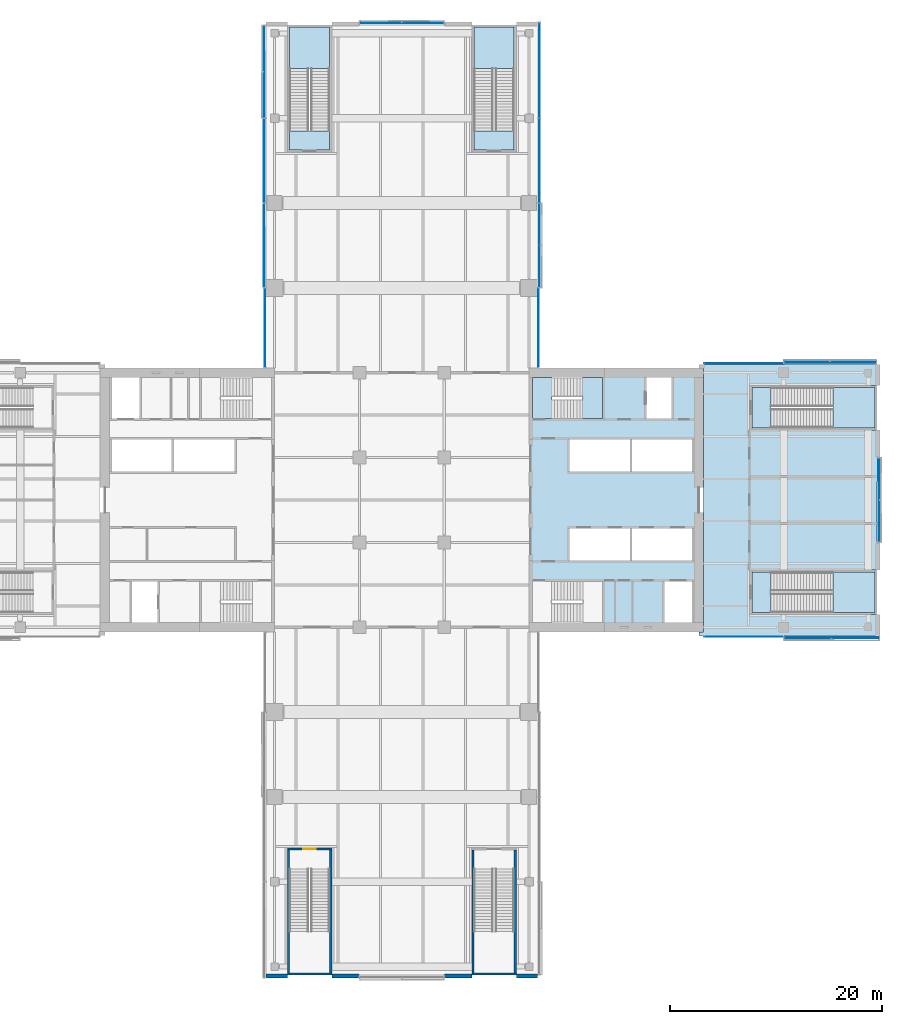
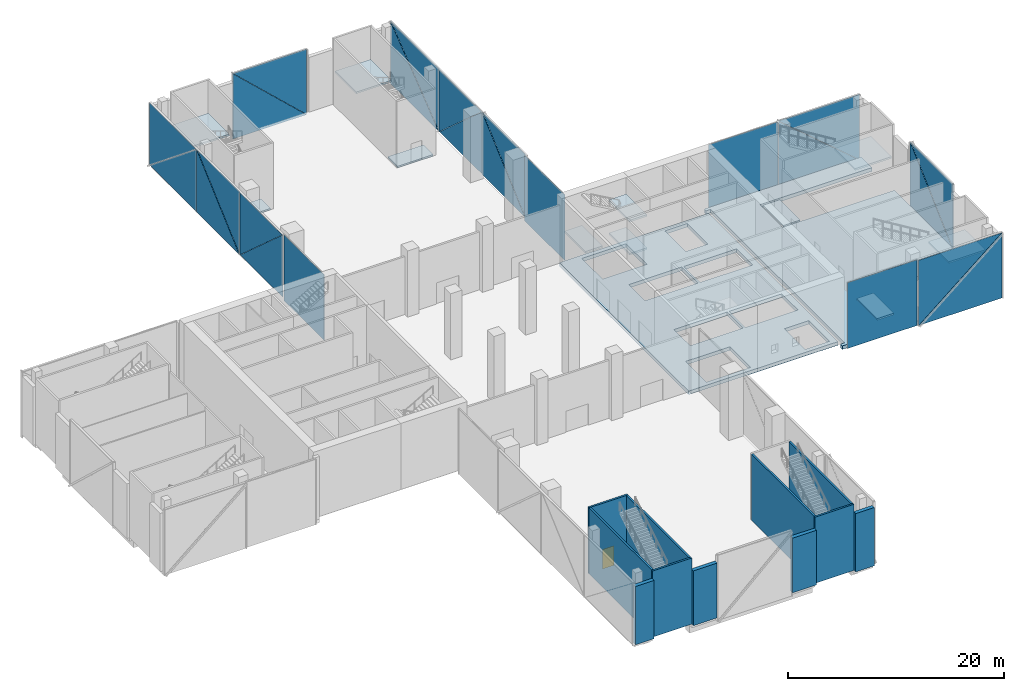
# One storey, part 13 of 25: 24 plates, 13 slabs, 11 walls, 1 door, 1 opening, 15 elements without a shape of their own.
"""IFC4 building model written with IfcOpenShell, lengths in metres."""

from ifc_helpers import new_model, si_unit, direction, frame, frame_2d, origin, place, context, subcontext, project, spatial, polyline, rectangle, outline, extrude, material, layer, layer_set, type_object, element, fill, aggregate, save


model = new_model("IFC4")

# Units and contexts
model_context = context("Model", 3, precision=1e-05, world=origin(), true_north=direction((0.0, 1.0)))
body_context = subcontext(model_context, "Body", "Model", "MODEL_VIEW")
ifc_project = project(units=[si_unit("LENGTHUNIT", "METRE"), si_unit("AREAUNIT", "SQUARE_METRE"), si_unit("VOLUMEUNIT", "CUBIC_METRE"), si_unit("PLANEANGLEUNIT", "RADIAN"), si_unit("MASSUNIT", "GRAM", prefix="KILO")], contexts=[model_context])

# Site, building, storey
site_placement = place(None, origin())
site = spatial("IfcSite", under=ifc_project, at=site_placement, CompositionType="ELEMENT")
building_placement = place(site_placement, origin())
building = spatial("IfcBuilding", under=site, at=building_placement, Name="Crosswind Convention Tower", CompositionType="ELEMENT")
storey_placement = place(building_placement, frame((0.0, 0.0, 10.0)))
storey = spatial("IfcBuildingStorey", under=building, at=storey_placement, Name="L01", CompositionType="ELEMENT", Elevation=10.0)

# Slabs
ifc_material_1 = material(Name="Concrete C40/50", Category="concrete")
ifc_layer_1 = layer(ifc_material_1, 0.39990234375)
ifc_layer_set_1 = layer_set([ifc_layer_1], Name="Concrete C40/50")
slab_type_1 = type_object("IfcSlabType", Name="Composite floor slab 400", PredefinedType="FLOOR", material=ifc_layer_set_1)
slab_1_placement = place(storey_placement, frame((0.0, 0.0, -0.39990234375)))
element("IfcSlab", 1, at=slab_1_placement, inside=storey, type_object=slab_type_1, Name="Floor slab L01 part 3", PredefinedType="FLOOR", context=body_context, shape_type="SweptSolid", body=[
    extrude(outline(polyline([(169.800048828125, 93.39990234375), (157.800048828125, 93.39990234375), (157.800048828125, 89.199951171875), (169.800048828125, 89.199951171875), (169.800048828125, 88.0), (169.800048828125, 87.199951171875), (169.0, 87.199951171875), (153.0, 87.199951171875), (153.0, 87.550048828125), (153.449951171875, 87.550048828125), (153.449951171875, 112.449951171875), (153.0, 112.449951171875), (153.0, 112.800048828125), (169.0, 112.800048828125), (169.800048828125, 112.800048828125), (169.800048828125, 112.0), (169.800048828125, 110.800048828125), (157.800048828125, 110.800048828125), (157.800048828125, 106.60009765625), (169.800048828125, 106.60009765625), (169.800048828125, 93.39990234375)])), origin(), (0.0, 0.0, 1.0), 0.39990234375),
])
ifc_layer_2 = layer(ifc_material_1, 0.39990234375)
ifc_layer_set_2 = layer_set([ifc_layer_2], Name="Concrete C40/50")
slab_type_2 = type_object("IfcSlabType", Name="Concrete core floor slab 400", PredefinedType="FLOOR", material=ifc_layer_set_2)
slab_2_placement = place(storey_placement, frame((0.0, 0.0, -0.39990234375)))
element("IfcSlab", 2, at=slab_2_placement, inside=storey, type_object=slab_type_2, Name="Core floor slab E L01", PredefinedType="FLOOR", context=body_context, shape_type="SweptSolid", body=[
    extrude(outline(polyline([(137.0, 88.0), (153.0, 88.0), (153.0, 112.0), (137.0, 112.0), (137.0, 88.0)]), holes=[polyline([(146.5, 102.699951171875), (146.5, 105.699951171875), (140.800048828125, 105.699951171875), (140.800048828125, 102.699951171875), (146.5, 102.699951171875)]), polyline([(152.35009765625, 102.699951171875), (152.35009765625, 105.699951171875), (146.699951171875, 105.699951171875), (146.699951171875, 102.699951171875), (152.35009765625, 102.699951171875)]), polyline([(146.5, 94.300048828125), (146.5, 97.300048828125), (140.800048828125, 97.300048828125), (140.800048828125, 94.300048828125), (146.5, 94.300048828125)]), polyline([(152.35009765625, 94.300048828125), (152.35009765625, 97.300048828125), (146.699951171875, 97.300048828125), (146.699951171875, 94.300048828125), (152.35009765625, 94.300048828125)]), polyline([(150.449951171875, 107.699951171875), (150.449951171875, 111.550048828125), (148.050048828125, 111.550048828125), (148.050048828125, 107.699951171875), (150.449951171875, 107.699951171875)]), polyline([(152.35009765625, 88.449951171875), (152.35009765625, 92.300048828125), (149.75, 92.300048828125), (149.75, 88.449951171875), (152.35009765625, 88.449951171875)]), polyline([(143.89990234375, 107.699951171875), (143.89990234375, 111.550048828125), (139.14990234375, 111.550048828125), (139.14990234375, 107.699951171875), (143.89990234375, 107.699951171875)]), polyline([(143.89990234375, 88.449951171875), (143.89990234375, 92.300048828125), (139.14990234375, 92.300048828125), (139.14990234375, 88.449951171875), (143.89990234375, 88.449951171875)])]), origin(), (0.0, 0.0, 1.0), 0.39990234375),
])

# Stair, slabs
stair_type_1 = type_object("IfcStairType", Name="PODIUM EXIT STAIR 7500 RISE", PredefinedType="HALF_TURN_STAIR", material=ifc_material_1)
stair_1_placement = place(storey_placement, origin())
stair_1 = element("IfcStair", 3, at=stair_1_placement, inside=storey, type_object=stair_type_1, Name="Exit stair E1 L01", ObjectType="ST11", PredefinedType="HALF_TURN_STAIR")
ifc_layer_3 = layer(ifc_material_1, 0.199951171875)
ifc_layer_set_3 = layer_set([ifc_layer_3], Name="Concrete C40/50")
slab_type_3 = type_object("IfcSlabType", Name="PODIUM STAIR LANDING 200 FOR 22 RISERS", PredefinedType="LANDING", material=ifc_layer_set_3)
slab_3_placement = place(storey_placement, frame((0.0, 0.0, 3.550048828125)))
slab_3 = element("IfcSlab", 4, at=slab_3_placement, type_object=slab_type_3, Name="ST11 landing 1", PredefinedType="LANDING", context=body_context, shape_type="SweptSolid", body=[
    extrude(outline(polyline([(165.679931640625, 89.39990234375), (169.60009765625, 89.39990234375), (169.60009765625, 93.199951171875), (165.679931640625, 93.199951171875), (165.679931640625, 89.39990234375)])), origin(), (0.0, 0.0, 1.0), 0.199951171875),
])
slab_4_placement = place(storey_placement, frame((0.0, 0.0, -0.199951171875)))
slab_4 = element("IfcSlab", 5, at=slab_4_placement, type_object=slab_type_3, Name="ST11 landing 2", PredefinedType="LANDING", context=body_context, shape_type="SweptSolid", body=[
    extrude(outline(polyline([(158.0, 89.39990234375), (159.800048828125, 89.39990234375), (159.800048828125, 93.199951171875), (158.0, 93.199951171875), (158.0, 89.39990234375)])), origin(), (0.0, 0.0, 1.0), 0.199951171875),
])
aggregate(stair_1, [slab_3, slab_4])

stair_2_placement = place(storey_placement, origin())
stair_2 = element("IfcStair", 6, at=stair_2_placement, inside=storey, type_object=stair_type_1, Name="Exit stair E2 L01", ObjectType="ST11", PredefinedType="HALF_TURN_STAIR")
slab_5_placement = place(storey_placement, frame((0.0, 0.0, 3.550048828125)))
slab_5 = element("IfcSlab", 7, at=slab_5_placement, type_object=slab_type_3, Name="ST11 landing 1", PredefinedType="LANDING", context=body_context, shape_type="SweptSolid", body=[
    extrude(outline(polyline([(165.679931640625, 106.800048828125), (169.60009765625, 106.800048828125), (169.60009765625, 110.60009765625), (165.679931640625, 110.60009765625), (165.679931640625, 106.800048828125)])), origin(), (0.0, 0.0, 1.0), 0.199951171875),
])
slab_6_placement = place(storey_placement, frame((0.0, 0.0, -0.199951171875)))
slab_6 = element("IfcSlab", 8, at=slab_6_placement, type_object=slab_type_3, Name="ST11 landing 2", PredefinedType="LANDING", context=body_context, shape_type="SweptSolid", body=[
    extrude(outline(polyline([(158.0, 106.800048828125), (159.800048828125, 106.800048828125), (159.800048828125, 110.60009765625), (158.0, 110.60009765625), (158.0, 106.800048828125)])), origin(), (0.0, 0.0, 1.0), 0.199951171875),
])
aggregate(stair_2, [slab_5, slab_6])

stair_3_placement = place(storey_placement, origin())
stair_3 = element("IfcStair", 9, at=stair_3_placement, inside=storey, type_object=stair_type_1, Name="Exit stair N1 L01", ObjectType="ST11", PredefinedType="HALF_TURN_STAIR")
slab_7_placement = place(storey_placement, frame((0.0, 0.0, 3.550048828125)))
slab_7 = element("IfcSlab", 10, at=slab_7_placement, type_object=slab_type_3, Name="ST11 landing 1", PredefinedType="LANDING", context=body_context, shape_type="SweptSolid", body=[
    extrude(outline(polyline([(118.199951171875, 140.679931640625), (118.199951171875, 144.60009765625), (114.39990234375, 144.60009765625), (114.39990234375, 140.679931640625), (118.199951171875, 140.679931640625)])), origin(), (0.0, 0.0, 1.0), 0.199951171875),
])
slab_8_placement = place(storey_placement, frame((0.0, 0.0, -0.199951171875)))
slab_8 = element("IfcSlab", 11, at=slab_8_placement, type_object=slab_type_3, Name="ST11 landing 2", PredefinedType="LANDING", context=body_context, shape_type="SweptSolid", body=[
    extrude(outline(polyline([(118.199951171875, 133.0), (118.199951171875, 134.800048828125), (114.39990234375, 134.800048828125), (114.39990234375, 133.0), (118.199951171875, 133.0)])), origin(), (0.0, 0.0, 1.0), 0.199951171875),
])
aggregate(stair_3, [slab_7, slab_8])

stair_4_placement = place(storey_placement, origin())
stair_4 = element("IfcStair", 12, at=stair_4_placement, inside=storey, type_object=stair_type_1, Name="Exit stair N2 L01", ObjectType="ST11", PredefinedType="HALF_TURN_STAIR")
slab_9_placement = place(storey_placement, frame((0.0, 0.0, 3.550048828125)))
slab_9 = element("IfcSlab", 13, at=slab_9_placement, type_object=slab_type_3, Name="ST11 landing 1", PredefinedType="LANDING", context=body_context, shape_type="SweptSolid", body=[
    extrude(outline(polyline([(135.60009765625, 140.679931640625), (135.60009765625, 144.60009765625), (131.800048828125, 144.60009765625), (131.800048828125, 140.679931640625), (135.60009765625, 140.679931640625)])), origin(), (0.0, 0.0, 1.0), 0.199951171875),
])
slab_10_placement = place(storey_placement, frame((0.0, 0.0, -0.199951171875)))
slab_10 = element("IfcSlab", 14, at=slab_10_placement, type_object=slab_type_3, Name="ST11 landing 2", PredefinedType="LANDING", context=body_context, shape_type="SweptSolid", body=[
    extrude(outline(polyline([(135.60009765625, 133.0), (135.60009765625, 134.800048828125), (131.800048828125, 134.800048828125), (131.800048828125, 133.0), (135.60009765625, 133.0)])), origin(), (0.0, 0.0, 1.0), 0.199951171875),
])
aggregate(stair_4, [slab_9, slab_10])

stair_type_2 = type_object("IfcStairType", Name="Exit stair 1800 wide, 4 flights of 11 risers", PredefinedType="HALF_TURN_STAIR", material=ifc_material_1)
stair_5_placement = place(storey_placement, origin())
stair_5 = element("IfcStair", 15, at=stair_5_placement, inside=storey, type_object=stair_type_2, Name="Exit stair ST1 L01", ObjectType="ST6", PredefinedType="HALF_TURN_STAIR")
ifc_layer_4 = layer(ifc_material_1, 0.199951171875)
ifc_layer_set_4 = layer_set([ifc_layer_4], Name="Concrete C40/50")
slab_type_4 = type_object("IfcSlabType", Name="Stair landing 200", PredefinedType="LANDING", material=ifc_layer_set_4)
slab_11_placement = place(storey_placement, frame((0.0, 0.0, 1.675048828125)))
slab_11 = element("IfcSlab", 16, at=slab_11_placement, type_object=slab_type_4, Name="ST1 landing 1", PredefinedType="LANDING", context=body_context, shape_type="SweptSolid", body=[
    extrude(outline(polyline([(143.89990234375, 107.699951171875), (143.89990234375, 111.550048828125), (142.050048828125, 111.550048828125), (142.050048828125, 107.699951171875), (143.89990234375, 107.699951171875)])), origin(), (0.0, 0.0, 1.0), 0.199951171875),
])
slab_12_placement = place(storey_placement, frame((0.0, 0.0, 3.550048828125)))
slab_12 = element("IfcSlab", 17, at=slab_12_placement, type_object=slab_type_4, Name="ST1 landing 2", PredefinedType="LANDING", context=body_context, shape_type="SweptSolid", body=[
    extrude(outline(polyline([(139.14990234375, 107.699951171875), (139.14990234375, 111.550048828125), (137.300048828125, 111.550048828125), (137.300048828125, 107.699951171875), (139.14990234375, 107.699951171875)])), origin(), (0.0, 0.0, 1.0), 0.199951171875),
])
slab_13_placement = place(storey_placement, frame((0.0, 0.0, 5.425048828125)))
slab_13 = element("IfcSlab", 18, at=slab_13_placement, type_object=slab_type_4, Name="ST1 landing 3", PredefinedType="LANDING", context=body_context, shape_type="SweptSolid", body=[
    extrude(outline(polyline([(143.89990234375, 107.699951171875), (143.89990234375, 111.550048828125), (142.050048828125, 111.550048828125), (142.050048828125, 107.699951171875), (143.89990234375, 107.699951171875)])), origin(), (0.0, 0.0, 1.0), 0.199951171875),
])
aggregate(stair_5, [slab_11, slab_12, slab_13])

# Curtain wall, plate
ifc_material_2 = material(Name="Aluminium unitised curtain wall", Category="aluminium")
curtain_wall_type_1 = type_object("IfcCurtainWallType", Name="CORE END SLOT WALL 160", PredefinedType="USERDEFINED", material=ifc_material_2)
curtain_wall_1_placement = place(storey_placement, origin())
curtain_wall_1 = element("IfcCurtainWall", 19, at=curtain_wall_1_placement, inside=storey, type_object=curtain_wall_type_1, Name="CW6 L01 E-N.1-2 slot", ObjectType="UNITISED", PredefinedType="USERDEFINED")
ifc_material_3 = material(Name="Laminated insulating glass unit", Category="glass")
ifc_layer_5 = layer(ifc_material_3, 0.02587890625)
ifc_layer_set_5 = layer_set([ifc_layer_5], Name="TRIANGULAR GLASS PANEL 26")
plate_type_1 = type_object("IfcPlateType", Name="TRIANGULAR GLASS PANEL 26", PredefinedType="CURTAIN_PANEL", material=ifc_layer_set_5)
plate_1_placement = place(storey_placement, frame((160.949951171875, 112.907470703125, -0.39990234375), z_axis=(0.0, 0.999999922678, 0.000393249191), x_axis=(-1.0, 0.0, 0.0)))
plate_1 = element("IfcPlate", 20, at=plate_1_placement, type_object=plate_type_1, Name="CW6 panel 1.1", PredefinedType="CURTAIN_PANEL", context=body_context, shape_type="SweptSolid", body=[
    extrude(outline(polyline([(0.0, 0.0), (7.449951171875, 0.0), (7.449951171875, 7.449951747923642), (0.0, 7.449951747923642), (0.0, 0.0)])), origin(), (0.0, 0.0, -1.0), 0.02587890625),
])
aggregate(curtain_wall_1, [plate_1])

curtain_wall_2_placement = place(storey_placement, origin())
curtain_wall_2 = element("IfcCurtainWall", 21, at=curtain_wall_2_placement, inside=storey, type_object=curtain_wall_type_1, Name="CW6 L01 N-E.1-1 slot", ObjectType="UNITISED", PredefinedType="USERDEFINED")
plate_2_placement = place(storey_placement, frame((137.907470703125, 112.5, -0.39990234375), z_axis=(0.999999922678, 0.0, 0.000393249191), x_axis=(0.0, 1.0, 0.0)))
plate_2 = element("IfcPlate", 22, at=plate_2_placement, type_object=plate_type_1, Name="CW6 panel 1.1", PredefinedType="CURTAIN_PANEL", context=body_context, shape_type="SweptSolid", body=[
    extrude(outline(polyline([(0.0, 0.0), (7.449951171875, 0.0), (7.449951171875, 7.449951747923642), (0.0, 7.449951747923642), (0.0, 0.0)])), origin(), (0.0, 0.0, -1.0), 0.02587890625),
])
aggregate(curtain_wall_2, [plate_2])

curtain_wall_3_placement = place(storey_placement, origin())
curtain_wall_3 = element("IfcCurtainWall", 23, at=curtain_wall_3_placement, inside=storey, type_object=curtain_wall_type_1, Name="CW6 L01 N-W.1-4 slot", ObjectType="UNITISED", PredefinedType="USERDEFINED")
plate_3_placement = place(storey_placement, frame((112.092529296875, 119.949951171875, -0.39990234375), z_axis=(-0.999999922678, 0.0, 0.000393249191), x_axis=(0.0, -1.0, 0.0)))
plate_3 = element("IfcPlate", 24, at=plate_3_placement, type_object=plate_type_1, Name="CW6 panel 1.1", PredefinedType="CURTAIN_PANEL", context=body_context, shape_type="SweptSolid", body=[
    extrude(outline(polyline([(0.0, 0.0), (7.449951171875, 0.0), (7.449951171875, 7.449951747923642), (0.0, 7.449951747923642), (0.0, 0.0)])), origin(), (0.0, 0.0, -1.0), 0.02587890625),
])
aggregate(curtain_wall_3, [plate_3])

curtain_wall_4_placement = place(storey_placement, origin())
curtain_wall_4 = element("IfcCurtainWall", 25, at=curtain_wall_4_placement, inside=storey, type_object=curtain_wall_type_1, Name="CW6 L01 E-S.2-1 slot", ObjectType="UNITISED", PredefinedType="USERDEFINED")
plate_4_placement = place(storey_placement, frame((153.5, 87.092529296875, -0.39990234375), z_axis=(0.0, -0.999999922678, 0.000393249191), x_axis=(1.0, 0.0, 0.0)))
plate_4 = element("IfcPlate", 26, at=plate_4_placement, type_object=plate_type_1, Name="CW6 panel 1.1", PredefinedType="CURTAIN_PANEL", context=body_context, shape_type="SweptSolid", body=[
    extrude(outline(polyline([(0.0, 0.0), (7.449951171875, 0.0), (7.449951171875, 7.449951747923642), (0.0, 7.449951747923642), (0.0, 0.0)])), origin(), (0.0, 0.0, -1.0), 0.02587890625),
])
aggregate(curtain_wall_4, [plate_4])

# Curtain wall, plates
curtain_wall_type_2 = type_object("IfcCurtainWallType", Name="PODIUM UNITISED WALL 300", PredefinedType="USERDEFINED", material=ifc_material_2)
curtain_wall_5_placement = place(storey_placement, origin())
curtain_wall_5 = element("IfcCurtainWall", 27, at=curtain_wall_5_placement, inside=storey, type_object=curtain_wall_type_2, Name="CW1 L01 E-TIP 1", ObjectType="UNITISED", PredefinedType="USERDEFINED")
ifc_layer_6 = layer(ifc_material_3, 0.035888671875)
ifc_layer_set_6 = layer_set([ifc_layer_6], Name="TRIANGULAR GLASS PANEL 36")
plate_type_2 = type_object("IfcPlateType", Name="TRIANGULAR GLASS PANEL 36", PredefinedType="CURTAIN_PANEL", material=ifc_layer_set_6)
plate_5_placement = place(storey_placement, frame((169.987548828125, 103.9599609375, -0.39990234375), z_axis=(0.999999921762, 0.0, 0.000395569589), x_axis=(-0.000395569589, 0.0, 0.999999921762)))
plate_5 = element("IfcPlate", 28, at=plate_5_placement, type_object=plate_type_2, Name="CW1 panel 1.1", PredefinedType="CURTAIN_PANEL", context=body_context, shape_type="SweptSolid", body=[
    extrude(outline(polyline([(0.0, 0.0), (7.406250579447663, 0.0), (0.0, 7.9052734375), (0.0, 0.0)])), origin(), (0.0, 0.0, -1.0), 0.035888671875),
])
plate_6_placement = place(storey_placement, frame((170.0224609375, 96.0400390625, 7.02001953125), z_axis=(0.999999921762, 0.0, 0.000395569589), x_axis=(0.000395569589, 0.0, -0.999999921762)))
plate_6 = element("IfcPlate", 29, at=plate_6_placement, type_object=plate_type_2, Name="CW1 panel 1.2", PredefinedType="CURTAIN_PANEL", context=body_context, shape_type="SweptSolid", body=[
    extrude(outline(polyline([(0.0, 0.0), (7.406250579447663, 0.0), (0.0, 7.9052734375), (0.0, 0.0)])), origin(), (0.0, 0.0, -1.0), 0.035888671875),
])
aggregate(curtain_wall_5, [plate_5, plate_6])

curtain_wall_6_placement = place(storey_placement, origin())
curtain_wall_6 = element("IfcCurtainWall", 30, at=curtain_wall_6_placement, inside=storey, type_object=curtain_wall_type_2, Name="CW1 L01 E-N 1", ObjectType="UNITISED", PredefinedType="USERDEFINED")
plate_7_placement = place(storey_placement, frame((161.0400390625, 112.987548828125, -0.39990234375), z_axis=(0.0, 0.999999921773, 0.000395543512), x_axis=(0.0, -0.000395543512, 0.999999921773)))
plate_7 = element("IfcPlate", 31, at=plate_7_placement, type_object=plate_type_2, Name="CW1 panel 1.1", PredefinedType="CURTAIN_PANEL", context=body_context, shape_type="SweptSolid", body=[
    extrude(outline(polyline([(0.0, 0.0), (7.406738860659464, 0.0), (0.0, 8.66455078125), (0.0, 0.0)])), origin(), (0.0, 0.0, -1.0), 0.035888671875),
])
plate_8_placement = place(storey_placement, frame((169.719970703125, 113.0224609375, 7.02001953125), z_axis=(0.0, 0.999999921778, 0.000395530474), x_axis=(0.0, 0.000395530474, -0.999999921778)))
plate_8 = element("IfcPlate", 32, at=plate_8_placement, type_object=plate_type_2, Name="CW1 panel 1.2", PredefinedType="CURTAIN_PANEL", context=body_context, shape_type="SweptSolid", body=[
    extrude(outline(polyline([(0.0, 0.0), (7.406983001265367, 0.0), (0.0, 8.664550781250002), (0.0, 0.0)])), origin(), (0.0, 0.0, -1.0), 0.035888671875),
])
aggregate(curtain_wall_6, [plate_7, plate_8])

curtain_wall_7_placement = place(storey_placement, origin())
curtain_wall_7 = element("IfcCurtainWall", 33, at=curtain_wall_7_placement, inside=storey, type_object=curtain_wall_type_2, Name="CW1 L01 N-E 1", ObjectType="UNITISED", PredefinedType="USERDEFINED")
plate_9_placement = place(storey_placement, frame((137.9873046875, 127.9599609375, -0.044921875), z_axis=(0.999999927478, 0.0, 0.000380846837), x_axis=(-0.000380846837, 0.0, 0.999999927478)))
plate_9 = element("IfcPlate", 34, at=plate_9_placement, type_object=plate_type_2, Name="CW1 panel 1.1", PredefinedType="CURTAIN_PANEL", context=body_context, shape_type="SweptSolid", body=[
    extrude(outline(polyline([(0.0, 0.0), (7.051514183266036, 0.0), (0.0, 7.905029296874999), (0.0, 0.0)])), origin(), (0.0, 0.0, -1.0), 0.035888671875),
])
plate_10_placement = place(storey_placement, frame((138.022705078125, 120.0400390625, 7.02001953125), z_axis=(0.999999927478, 0.0, 0.000380846837), x_axis=(0.000380846837, 0.0, -0.999999927478)))
plate_10 = element("IfcPlate", 35, at=plate_10_placement, type_object=plate_type_2, Name="CW1 panel 1.2", PredefinedType="CURTAIN_PANEL", context=body_context, shape_type="SweptSolid", body=[
    extrude(outline(polyline([(0.0, 0.0), (7.051514183266036, 0.0), (0.0, 7.905029296874999), (0.0, 0.0)])), origin(), (0.0, 0.0, -1.0), 0.035888671875),
])
plate_11_placement = place(storey_placement, frame((137.984619140625, 135.9599609375, 7.02001953125), z_axis=(0.999999927478, 0.0, 0.000380846837), x_axis=(0.0, -1.0, 0.0)))
plate_11 = element("IfcPlate", 36, at=plate_11_placement, type_object=plate_type_2, Name="CW1 panel 2.1", PredefinedType="CURTAIN_PANEL", context=body_context, shape_type="SweptSolid", body=[
    extrude(outline(polyline([(0.0, 0.0), (7.905029296875, 0.0), (0.0, 7.051514183266035), (0.0, 0.0)])), origin(), (0.0, 0.0, -1.0), 0.035888671875),
])
plate_12_placement = place(storey_placement, frame((138.025390625, 128.0400390625, -0.044921875), z_axis=(0.999999927478, 0.0, 0.000380846837), x_axis=(0.0, 1.0, 0.0)))
plate_12 = element("IfcPlate", 37, at=plate_12_placement, type_object=plate_type_2, Name="CW1 panel 2.2", PredefinedType="CURTAIN_PANEL", context=body_context, shape_type="SweptSolid", body=[
    extrude(outline(polyline([(0.0, 0.0), (7.905029296875, 0.0), (0.0, 7.051514183266035), (0.0, 0.0)])), origin(), (0.0, 0.0, -1.0), 0.035888671875),
])
plate_13_placement = place(storey_placement, frame((137.9873046875, 145.0048828125, -0.044921875), z_axis=(0.999999927493, 0.0, 0.000380807284), x_axis=(-0.000380807284, 0.0, 0.999999927493)))
plate_13 = element("IfcPlate", 38, at=plate_13_placement, type_object=plate_type_2, Name="CW1 panel 3.1", PredefinedType="CURTAIN_PANEL", context=body_context, shape_type="SweptSolid", body=[
    extrude(outline(polyline([(0.0, 0.0), (7.052246605087925, 0.0), (0.0, 8.94873046875), (0.0, 0.0)])), origin(), (0.0, 0.0, -1.0), 0.035888671875),
])
plate_14_placement = place(storey_placement, frame((138.022705078125, 136.0400390625, 7.02001953125), z_axis=(0.999999927493, 0.0, 0.000380807284), x_axis=(0.000380807284, 0.0, -0.999999927493)))
plate_14 = element("IfcPlate", 39, at=plate_14_placement, type_object=plate_type_2, Name="CW1 panel 3.2", PredefinedType="CURTAIN_PANEL", context=body_context, shape_type="SweptSolid", body=[
    extrude(outline(polyline([(0.0, 0.0), (7.052246605087925, 0.0), (0.0, 8.94873046875), (0.0, 0.0)])), origin(), (0.0, 0.0, -1.0), 0.035888671875),
])
aggregate(curtain_wall_7, [plate_9, plate_10, plate_11, plate_12, plate_13, plate_14])

curtain_wall_8_placement = place(storey_placement, origin())
curtain_wall_8 = element("IfcCurtainWall", 40, at=curtain_wall_8_placement, inside=storey, type_object=curtain_wall_type_2, Name="CW1 L01 N-TIP 1", ObjectType="UNITISED", PredefinedType="USERDEFINED")
plate_15_placement = place(storey_placement, frame((121.0400390625, 144.987548828125, -0.39990234375), z_axis=(0.0, 0.999999921762, 0.000395569589), x_axis=(0.0, -0.000395569589, 0.999999921762)))
plate_15 = element("IfcPlate", 41, at=plate_15_placement, type_object=plate_type_2, Name="CW1 panel 1.1", PredefinedType="CURTAIN_PANEL", context=body_context, shape_type="SweptSolid", body=[
    extrude(outline(polyline([(0.0, 0.0), (7.406250579447663, 0.0), (0.0, 7.9052734375), (0.0, 0.0)])), origin(), (0.0, 0.0, -1.0), 0.035888671875),
])
plate_16_placement = place(storey_placement, frame((128.9599609375, 145.0224609375, 7.02001953125), z_axis=(0.0, 0.999999921762, 0.000395569589), x_axis=(0.0, 0.000395569589, -0.999999921762)))
plate_16 = element("IfcPlate", 42, at=plate_16_placement, type_object=plate_type_2, Name="CW1 panel 1.2", PredefinedType="CURTAIN_PANEL", context=body_context, shape_type="SweptSolid", body=[
    extrude(outline(polyline([(0.0, 0.0), (7.406250579447663, 0.0), (0.0, 7.9052734375), (0.0, 0.0)])), origin(), (0.0, 0.0, -1.0), 0.035888671875),
])
aggregate(curtain_wall_8, [plate_15, plate_16])

curtain_wall_9_placement = place(storey_placement, origin())
curtain_wall_9 = element("IfcCurtainWall", 43, at=curtain_wall_9_placement, inside=storey, type_object=curtain_wall_type_2, Name="CW1 L01 N-W 1", ObjectType="UNITISED", PredefinedType="USERDEFINED")
plate_17_placement = place(storey_placement, frame((112.0126953125, 136.0400390625, -0.044921875), z_axis=(-0.999999927488, 0.0, 0.000380820467), x_axis=(0.000380820467, 0.0, 0.999999927488)))
plate_17 = element("IfcPlate", 44, at=plate_17_placement, type_object=plate_type_2, Name="CW1 panel 1.1", PredefinedType="CURTAIN_PANEL", context=body_context, shape_type="SweptSolid", body=[
    extrude(outline(polyline([(0.0, 0.0), (7.052002464480627, 0.0), (0.0, 8.664062500000002), (0.0, 0.0)])), origin(), (0.0, 0.0, -1.0), 0.035888671875),
])
plate_18_placement = place(storey_placement, frame((111.977294921875, 144.719970703125, 7.02001953125), z_axis=(-0.999999927493, 0.0, 0.000380807284), x_axis=(-0.000380807284, 0.0, -0.999999927493)))
plate_18 = element("IfcPlate", 45, at=plate_18_placement, type_object=plate_type_2, Name="CW1 panel 1.2", PredefinedType="CURTAIN_PANEL", context=body_context, shape_type="SweptSolid", body=[
    extrude(outline(polyline([(0.0, 0.0), (7.052246605087925, 0.0), (0.0, 8.664062499999998), (0.0, 0.0)])), origin(), (0.0, 0.0, -1.0), 0.035888671875),
])
plate_19_placement = place(storey_placement, frame((112.015380859375, 128.0400390625, 7.02001953125), z_axis=(-0.999999927478, 0.0, 0.000380846837), x_axis=(0.0, 1.0, 0.0)))
plate_19 = element("IfcPlate", 46, at=plate_19_placement, type_object=plate_type_2, Name="CW1 panel 2.1", PredefinedType="CURTAIN_PANEL", context=body_context, shape_type="SweptSolid", body=[
    extrude(outline(polyline([(0.0, 0.0), (7.905029296875, 0.0), (0.0, 7.051514183266035), (0.0, 0.0)])), origin(), (0.0, 0.0, -1.0), 0.035888671875),
])
plate_20_placement = place(storey_placement, frame((111.974609375, 135.9599609375, -0.044921875), z_axis=(-0.999999927478, 0.0, 0.000380846837), x_axis=(0.0, -1.0, 0.0)))
plate_20 = element("IfcPlate", 47, at=plate_20_placement, type_object=plate_type_2, Name="CW1 panel 2.2", PredefinedType="CURTAIN_PANEL", context=body_context, shape_type="SweptSolid", body=[
    extrude(outline(polyline([(0.0, 0.0), (7.905029296875, 0.0), (0.0, 7.051514183266035), (0.0, 0.0)])), origin(), (0.0, 0.0, -1.0), 0.035888671875),
])
plate_21_placement = place(storey_placement, frame((112.0126953125, 120.0400390625, -0.044921875), z_axis=(-0.999999927478, 0.0, 0.000380846837), x_axis=(0.000380846837, 0.0, 0.999999927478)))
plate_21 = element("IfcPlate", 48, at=plate_21_placement, type_object=plate_type_2, Name="CW1 panel 3.1", PredefinedType="CURTAIN_PANEL", context=body_context, shape_type="SweptSolid", body=[
    extrude(outline(polyline([(0.0, 0.0), (7.051514183266036, 0.0), (0.0, 7.905029296874999), (0.0, 0.0)])), origin(), (0.0, 0.0, -1.0), 0.035888671875),
])
plate_22_placement = place(storey_placement, frame((111.977294921875, 127.9599609375, 7.02001953125), z_axis=(-0.999999927478, 0.0, 0.000380846837), x_axis=(-0.000380846837, 0.0, -0.999999927478)))
plate_22 = element("IfcPlate", 49, at=plate_22_placement, type_object=plate_type_2, Name="CW1 panel 3.2", PredefinedType="CURTAIN_PANEL", context=body_context, shape_type="SweptSolid", body=[
    extrude(outline(polyline([(0.0, 0.0), (7.051514183266036, 0.0), (0.0, 7.905029296874999), (0.0, 0.0)])), origin(), (0.0, 0.0, -1.0), 0.035888671875),
])
aggregate(curtain_wall_9, [plate_17, plate_18, plate_19, plate_20, plate_21, plate_22])

curtain_wall_10_placement = place(storey_placement, origin())
curtain_wall_10 = element("IfcCurtainWall", 50, at=curtain_wall_10_placement, inside=storey, type_object=curtain_wall_type_2, Name="CW1 L01 E-S 2", ObjectType="UNITISED", PredefinedType="USERDEFINED")
plate_23_placement = place(storey_placement, frame((170.0048828125, 87.012451171875, -0.39990234375), z_axis=(0.0, -0.999999921778, 0.000395530474), x_axis=(0.0, 0.000395530474, 0.999999921778)))
plate_23 = element("IfcPlate", 51, at=plate_23_placement, type_object=plate_type_2, Name="CW1 panel 1.1", PredefinedType="CURTAIN_PANEL", context=body_context, shape_type="SweptSolid", body=[
    extrude(outline(polyline([(0.0, 0.0), (7.406983001265367, 0.0), (0.0, 8.94921875), (0.0, 0.0)])), origin(), (0.0, 0.0, -1.0), 0.035888671875),
])
plate_24_placement = place(storey_placement, frame((161.0400390625, 86.9775390625, 7.02001953125), z_axis=(0.0, -0.999999921778, 0.000395530474), x_axis=(0.0, -0.000395530474, -0.999999921778)))
plate_24 = element("IfcPlate", 52, at=plate_24_placement, type_object=plate_type_2, Name="CW1 panel 1.2", PredefinedType="CURTAIN_PANEL", context=body_context, shape_type="SweptSolid", body=[
    extrude(outline(polyline([(0.0, 0.0), (7.406983001265367, 0.0), (0.0, 8.94921875), (0.0, 0.0)])), origin(), (0.0, 0.0, -1.0), 0.035888671875),
])
aggregate(curtain_wall_10, [plate_23, plate_24])

# Walls
ifc_layer_7 = layer(ifc_material_1, 0.199951171875)
ifc_layer_set_7 = layer_set([ifc_layer_7], Name="Concrete C40/50")
wall_type_1 = type_object("IfcWallType", Name="STAIR ENCLOSURE WALL 200", PredefinedType="SOLIDWALL", material=ifc_layer_set_7)
for number, where, z_axis, x_axis, name in (
    (53, (114.199951171875, 55.300048828125, 0.0), (0.0, 0.0, 1.0), (1.0, 0.0, 0.0), "Stair Enclosure Wall 1"),
    (54, (131.60009765625, 55.300048828125, 0.0), (0.0, 0.0, 1.0), (1.0, 0.0, 0.0), "Stair Enclosure Wall 2"),
):
    element("IfcWall", number, at=place(storey_placement, frame(where, z_axis=z_axis, x_axis=x_axis)), inside=storey, type_object=wall_type_1, Name=name, PredefinedType="SOLIDWALL", context=body_context, shape_type="SweptSolid", body=[
        extrude(rectangle(XDim=4.199951171875, YDim=0.199951171875, at=frame_2d((2.10009765625, 0.0))), origin(), (0.0, 0.0, 1.0), 7.5),
    ])

# Wall, opening, door
wall_1_placement = place(storey_placement, frame((114.199951171875, 67.10009765625, 0.0), z_axis=(0.0, 0.0, 1.0), x_axis=(1.0, 0.0, 0.0)))
wall_1 = element("IfcWall", 55, at=wall_1_placement, inside=storey, type_object=wall_type_1, Name="Stair Enclosure Wall 3", PredefinedType="SOLIDWALL", context=body_context, shape_type="SweptSolid", body=[
    extrude(rectangle(XDim=4.199951171875, YDim=0.199951171875, at=frame_2d((2.10009765625, 0.0))), origin(), (0.0, 0.0, 1.0), 7.5),
])
opening_placement = place(wall_1_placement, frame((1.5, 0.0, 0.0)))
opening = element("IfcOpeningElement", 56, at=opening_placement, cuts=wall_1, Name="Opening 01.017", PredefinedType="OPENING", context=body_context, shape_type="SweptSolid", body=[
    extrude(rectangle(XDim=1.199951171875, YDim=2.199951171875, at=frame_2d((0.60009765625, 1.10009765625))), frame((0.0, 0.10986328125, 0.0), z_axis=(0.0, -1.0, 0.0), x_axis=(1.0, 0.0, 0.0)), (0.0, 0.0, 1.0), 0.219970703125),
])
ifc_material_4 = material(Name="Steel fire door", Category="steel")
door_type = type_object("IfcDoorType", Name="STAIR DOOR 1200X2200", OperationType="NOTDEFINED", PredefinedType="DOOR", material=ifc_material_4)
door_placement = place(opening_placement, frame((1.199951171875, 0.0, 0.0), z_axis=(0.0, 0.0, 1.0), x_axis=(-1.0, 0.0, 0.0)))
door = element("IfcDoor", 57, at=door_placement, inside=storey, type_object=door_type, Name="Door 01.017", ObjectType="D4", OperationType="SINGLE_SWING_LEFT", OverallHeight=2.199951171875, OverallWidth=1.199951171875, PredefinedType="DOOR", context=body_context, shape_type="SweptSolid", body=[
    extrude(rectangle(XDim=1.199951171875, YDim=2.199951171875, at=frame_2d((0.60009765625, 1.10009765625))), frame((0.0, 0.02490234375, 0.0), z_axis=(0.0, -1.0, 0.0), x_axis=(1.0, 0.0, 0.0)), (0.0, 0.0, 1.0), 0.050048828125),
])
fill(opening, door)

# Walls
for number, where, z_axis, x_axis, name in (
    (58, (114.300048828125, 55.39990234375, 0.0), (0.0, 0.0, 1.0), (0.0, 1.0, 0.0), "Stair Enclosure Wall 33"),
    (59, (118.300048828125, 55.39990234375, 0.0), (0.0, 0.0, 1.0), (0.0, 1.0, 0.0), "Stair Enclosure Wall 35"),
    (60, (131.699951171875, 55.39990234375, 0.0), (0.0, 0.0, 1.0), (0.0, 1.0, 0.0), "Stair Enclosure Wall 37"),
    (61, (135.699951171875, 55.39990234375, 0.0), (0.0, 0.0, 1.0), (0.0, 1.0, 0.0), "Stair Enclosure Wall 39"),
):
    element("IfcWall", number, at=place(storey_placement, frame(where, z_axis=z_axis, x_axis=x_axis)), inside=storey, type_object=wall_type_1, Name=name, PredefinedType="SOLIDWALL", context=body_context, shape_type="SweptSolid", body=[
        extrude(rectangle(XDim=11.60009765625, YDim=0.199951171875, at=frame_2d((5.800048828125, 0.0))), origin(), (0.0, 0.0, 1.0), 7.5),
    ])
ifc_material_5 = material(Name="Terracotta rainscreen", Category="ceramic")
ifc_layer_8 = layer(ifc_material_5, 0.02001953125)
ifc_material_6 = material(Name="Mineral wool insulation", Category="insulation")
ifc_layer_9 = layer(ifc_material_6, 0.10009765625)
ifc_material_7 = material(Name="Concrete blockwork", Category="masonry")
ifc_layer_10 = layer(ifc_material_7, 0.280029296875)
ifc_layer_set_8 = layer_set([ifc_layer_8, ifc_layer_9, ifc_layer_10], Name="TERRACOTTA INFILL WALL 400")
wall_type_2 = type_object("IfcWallType", Name="TERRACOTTA INFILL WALL 400", PredefinedType="SOLIDWALL", material=ifc_layer_set_8)
wall_2_placement = place(storey_placement, frame((112.199951171875, 55.114990234375, 0.0), z_axis=(0.0, 0.0, 1.0), x_axis=(1.0, 0.0, 0.0)))
element("IfcWall", 62, at=wall_2_placement, inside=storey, type_object=wall_type_2, Name="Stair enclosure side wall L01 S-TIP.1-1.1", PredefinedType="SOLIDWALL", context=body_context, shape_type="SweptSolid", body=[
    extrude(rectangle(XDim=2.0, YDim=0.39990234375, at=frame_2d((1.0, 0.0))), origin(), (0.0, 0.0, 1.0), 6.60009765625),
])
for number, where, z_axis, x_axis, name in (
    (63, (118.39990234375, 55.114990234375, 0.0), (0.0, 0.0, 1.0), (1.0, 0.0, 0.0), "Stair enclosure side wall L01 S-TIP.1-1.2"),
    (64, (129.0400390625, 55.114990234375, 0.0), (0.0, 0.0, 1.0), (1.0, 0.0, 0.0), "Stair enclosure side wall L01 S-TIP.1-3.1"),
):
    element("IfcWall", number, at=place(storey_placement, frame(where, z_axis=z_axis, x_axis=x_axis)), inside=storey, type_object=wall_type_2, Name=name, PredefinedType="SOLIDWALL", context=body_context, shape_type="SweptSolid", body=[
        extrude(rectangle(XDim=2.56005859375, YDim=0.39990234375, at=frame_2d((1.280029296875, 0.0))), origin(), (0.0, 0.0, 1.0), 6.199951171875),
    ])
wall_3_placement = place(storey_placement, frame((135.800048828125, 55.114990234375, 0.0), z_axis=(0.0, 0.0, 1.0), x_axis=(1.0, 0.0, 0.0)))
element("IfcWall", 65, at=wall_3_placement, inside=storey, type_object=wall_type_2, Name="Stair enclosure side wall L01 S-TIP.1-3.2", PredefinedType="SOLIDWALL", context=body_context, shape_type="SweptSolid", body=[
    extrude(rectangle(XDim=2.0, YDim=0.39990234375, at=frame_2d((1.0, 0.0))), origin(), (0.0, 0.0, 1.0), 6.60009765625),
])

save(model, "model.ifc")
